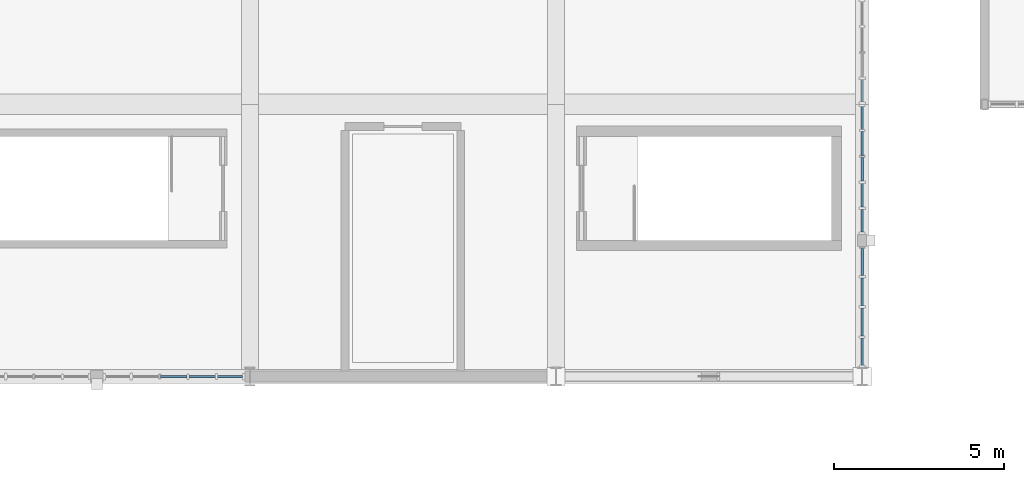
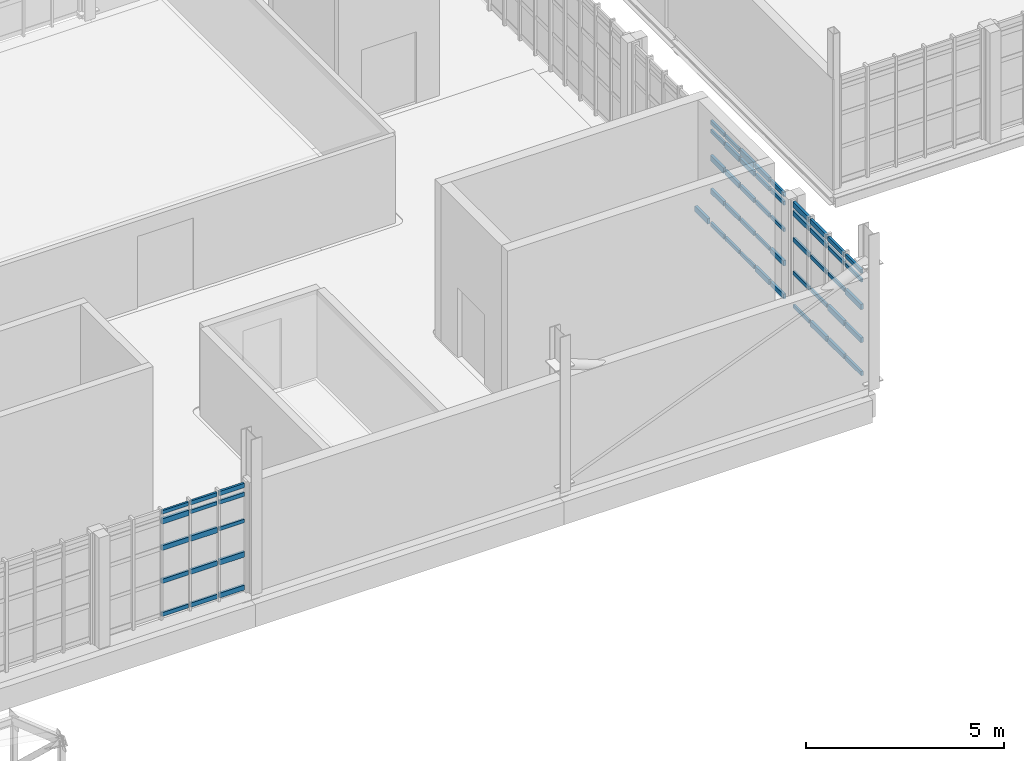
# One storey, part 68 of 128: 61 members, 4 elements without a shape of their own.
"""IFC4 building model written with IfcOpenShell, lengths in metres."""

from ifc_helpers import new_model, si_unit, direction, frame, origin, origin_2d, place, context, subcontext, project, spatial, rectangle, extrude, material, material_profile, profile_set, type_object, element, aggregate, save


model = new_model("IFC4")

# Units and contexts
model_context = context("Model", 3, precision=1e-05, world=origin(), true_north=direction((0.0, 1.0)))
body_context = subcontext(model_context, "Body", "Model", "MODEL_VIEW")
ifc_project = project(units=[si_unit("LENGTHUNIT", "METRE"), si_unit("AREAUNIT", "SQUARE_METRE"), si_unit("VOLUMEUNIT", "CUBIC_METRE"), si_unit("PLANEANGLEUNIT", "RADIAN"), si_unit("MASSUNIT", "GRAM", prefix="KILO")], contexts=[model_context])

# Site, building, storey
site_placement = place(None, origin())
site = spatial("IfcSite", under=ifc_project, at=site_placement, CompositionType="ELEMENT")
building_placement = place(site_placement, origin())
building = spatial("IfcBuilding", under=site, at=building_placement, Name="Serraforn Aerial Cableway Station", CompositionType="ELEMENT")
storey_placement = place(building_placement, frame((0.0, 0.0, 9.0)))
storey = spatial("IfcBuildingStorey", under=building, at=storey_placement, Name="L02", CompositionType="ELEMENT", Elevation=9.0)

# Curtain wall, members
ifc_material_1 = material(Name="Anodised bronze unitised curtain wall")
curtain_wall_type_1 = type_object("IfcCurtainWallType", Name="CW-SYS-24", PredefinedType="USERDEFINED", material=ifc_material_1)
curtain_wall_1_placement = place(storey_placement, origin())
curtain_wall_1 = element("IfcCurtainWall", 1, at=curtain_wall_1_placement, inside=storey, type_object=curtain_wall_type_1, Name="Unitised Curtain Wall CW-CV-L02-S5B", ObjectType="UNITISED CURTAIN WALL", PredefinedType="USERDEFINED")
ifc_material_2 = material(Name="Anodised bronze extruded aluminium", Category="aluminium")
ifc_material_profile_1 = material_profile(ifc_material_2, rectangle(XDim=0.054931640625, YDim=0.110107421875, at=origin_2d()), Name="CW TRANSOM 55x110")
ifc_profile_set_1 = profile_set([ifc_material_profile_1], Name="Anodised bronze extruded aluminium")
member_type_1 = type_object("IfcMemberType", Name="CW-TRN-1", PredefinedType="USERDEFINED", material=ifc_profile_set_1)
member_1_placement = place(storey_placement, frame((69.974365234375, 18.0, 3.283203125), z_axis=(1.0, 0.0, 0.0), x_axis=(0.0, 1.0, 0.0)))
member_1 = element("IfcMember", 2, at=member_1_placement, type_object=member_type_1, Name="Curtain Wall Transom CW-CV-L02-S5B-T3-5", ObjectType="TRANSOM", PredefinedType="USERDEFINED", context=body_context, shape_type="SweptSolid", body=[
    extrude(rectangle(XDim=0.054931640625, YDim=0.110107421875, at=origin_2d()), origin(), (0.0, 0.0, 1.0), 0.78076171875),
])
member_2_placement = place(storey_placement, frame((70.811279296875, 18.0, 3.009521484375), z_axis=(1.0, 0.0, 0.0), x_axis=(0.0, 1.0, 0.0)))
member_2 = element("IfcMember", 3, at=member_2_placement, type_object=member_type_1, Name="Curtain Wall Transom CW-CV-L02-S5B-T4-4", ObjectType="TRANSOM", PredefinedType="USERDEFINED", context=body_context, shape_type="SweptSolid", body=[
    extrude(rectangle(XDim=0.054931640625, YDim=0.110107421875, at=origin_2d()), origin(), (0.0, 0.0, 1.0), 0.77587890625),
])
member_3_placement = place(storey_placement, frame((71.648193359375, 18.0, 2.188720703125), z_axis=(1.0, 0.0, 0.0), x_axis=(0.0, 1.0, 0.0)))
member_3 = element("IfcMember", 4, at=member_3_placement, type_object=member_type_1, Name="Curtain Wall Transom CW-CV-L02-S5B-T5-3", ObjectType="TRANSOM", PredefinedType="USERDEFINED", context=body_context, shape_type="SweptSolid", body=[
    extrude(rectangle(XDim=0.054931640625, YDim=0.110107421875, at=origin_2d()), origin(), (0.0, 0.0, 1.0), 0.73583984375),
])

curtain_wall_type_2 = type_object("IfcCurtainWallType", Name="CW-SYS-27", PredefinedType="USERDEFINED", material=ifc_material_1)
curtain_wall_2_placement = place(storey_placement, origin())
curtain_wall_2 = element("IfcCurtainWall", 5, at=curtain_wall_2_placement, inside=storey, type_object=curtain_wall_type_2, Name="Unitised Curtain Wall CW-CV-L02-E1A", ObjectType="UNITISED CURTAIN WALL", PredefinedType="USERDEFINED")
member_4_placement = place(storey_placement, frame((90.60009765625, 18.3310546875, 3.009521484375), z_axis=(0.0, 1.0, 0.0), x_axis=(-1.0, 0.0, 0.0)))
member_4 = element("IfcMember", 6, at=member_4_placement, type_object=member_type_1, Name="Curtain Wall Transom CW-CV-L02-E1A-T1-4", ObjectType="TRANSOM", PredefinedType="USERDEFINED", context=body_context, shape_type="SweptSolid", body=[
    extrude(rectangle(XDim=0.054931640625, YDim=0.110107421875, at=origin_2d()), origin(), (0.0, 0.0, 1.0), 0.798095703125),
])
member_5_placement = place(storey_placement, frame((90.60009765625, 19.190185546875, 2.188720703125), z_axis=(0.0, 1.0, 0.0), x_axis=(-1.0, 0.0, 0.0)))
member_5 = element("IfcMember", 7, at=member_5_placement, type_object=member_type_1, Name="Curtain Wall Transom CW-CV-L02-E1A-T2-3", ObjectType="TRANSOM", PredefinedType="USERDEFINED", context=body_context, shape_type="SweptSolid", body=[
    extrude(rectangle(XDim=0.054931640625, YDim=0.110107421875, at=origin_2d()), origin(), (0.0, 0.0, 1.0), 0.8232421875),
])
member_6_placement = place(storey_placement, frame((90.60009765625, 20.07958984375, 1.162841796875), z_axis=(0.0, 1.0, 0.0), x_axis=(-1.0, 0.0, 0.0)))
member_6 = element("IfcMember", 8, at=member_6_placement, type_object=member_type_1, Name="Curtain Wall Transom CW-CV-L02-E1A-T3-2", ObjectType="TRANSOM", PredefinedType="USERDEFINED", context=body_context, shape_type="SweptSolid", body=[
    extrude(rectangle(XDim=0.054931640625, YDim=0.110107421875, at=origin_2d()), origin(), (0.0, 0.0, 1.0), 0.818115234375),
])
member_7_placement = place(storey_placement, frame((90.60009765625, 20.96875, 0.13671875), z_axis=(0.0, 1.0, 0.0), x_axis=(-1.0, 0.0, 0.0)))
member_7 = element("IfcMember", 9, at=member_7_placement, type_object=member_type_1, Name="Curtain Wall Transom CW-CV-L02-E1A-T4-1", ObjectType="TRANSOM", PredefinedType="USERDEFINED", context=body_context, shape_type="SweptSolid", body=[
    extrude(rectangle(XDim=0.054931640625, YDim=0.110107421875, at=origin_2d()), origin(), (0.0, 0.0, 1.0), 0.79833984375),
])

curtain_wall_type_3 = type_object("IfcCurtainWallType", Name="CW-SYS-28", PredefinedType="USERDEFINED", material=ifc_material_1)
curtain_wall_3_placement = place(storey_placement, origin())
curtain_wall_3 = element("IfcCurtainWall", 10, at=curtain_wall_3_placement, inside=storey, type_object=curtain_wall_type_3, Name="Unitised Curtain Wall CW-CV-L02-E1B", ObjectType="UNITISED CURTAIN WALL", PredefinedType="USERDEFINED")
member_8_placement = place(storey_placement, frame((90.60009765625, 22.242919921875, 2.188720703125), z_axis=(0.0, 1.0, 0.0), x_axis=(-1.0, 0.0, 0.0)))
member_8 = element("IfcMember", 11, at=member_8_placement, type_object=member_type_1, Name="Curtain Wall Transom CW-CV-L02-E1B-T1-3", ObjectType="TRANSOM", PredefinedType="USERDEFINED", context=body_context, shape_type="SweptSolid", body=[
    extrude(rectangle(XDim=0.054931640625, YDim=0.110107421875, at=origin_2d()), origin(), (0.0, 0.0, 1.0), 0.66796875),
])
member_9_placement = place(storey_placement, frame((90.60009765625, 22.97705078125, 1.162841796875), z_axis=(0.0, 1.0, 0.0), x_axis=(-1.0, 0.0, 0.0)))
member_9 = element("IfcMember", 12, at=member_9_placement, type_object=member_type_1, Name="Curtain Wall Transom CW-CV-L02-E1B-T2-2", ObjectType="TRANSOM", PredefinedType="USERDEFINED", context=body_context, shape_type="SweptSolid", body=[
    extrude(rectangle(XDim=0.054931640625, YDim=0.110107421875, at=origin_2d()), origin(), (0.0, 0.0, 1.0), 0.695556640625),
])
member_10_placement = place(storey_placement, frame((90.60009765625, 23.743408203125, 0.13671875), z_axis=(0.0, 1.0, 0.0), x_axis=(-1.0, 0.0, 0.0)))
member_10 = element("IfcMember", 13, at=member_10_placement, type_object=member_type_1, Name="Curtain Wall Transom CW-CV-L02-E1B-T3-1", ObjectType="TRANSOM", PredefinedType="USERDEFINED", context=body_context, shape_type="SweptSolid", body=[
    extrude(rectangle(XDim=0.054931640625, YDim=0.110107421875, at=origin_2d()), origin(), (0.0, 0.0, 1.0), 0.703125),
])
member_11_placement = place(storey_placement, frame((90.60009765625, 24.49755859375, 3.283203125), z_axis=(0.0, 1.0, 0.0), x_axis=(-1.0, 0.0, 0.0)))
member_11 = element("IfcMember", 14, at=member_11_placement, type_object=member_type_1, Name="Curtain Wall Transom CW-CV-L02-E1B-T4-5", ObjectType="TRANSOM", PredefinedType="USERDEFINED", context=body_context, shape_type="SweptSolid", body=[
    extrude(rectangle(XDim=0.054931640625, YDim=0.110107421875, at=origin_2d()), origin(), (0.0, 0.0, 1.0), 0.71044921875),
])
member_12_placement = place(storey_placement, frame((90.60009765625, 25.263916015625, 3.009521484375), z_axis=(0.0, 1.0, 0.0), x_axis=(-1.0, 0.0, 0.0)))
member_12 = element("IfcMember", 15, at=member_12_placement, type_object=member_type_1, Name="Curtain Wall Transom CW-CV-L02-E1B-T5-4", ObjectType="TRANSOM", PredefinedType="USERDEFINED", context=body_context, shape_type="SweptSolid", body=[
    extrude(rectangle(XDim=0.054931640625, YDim=0.110107421875, at=origin_2d()), origin(), (0.0, 0.0, 1.0), 0.673095703125),
])

# Member
ifc_material_profile_2 = material_profile(ifc_material_2, rectangle(XDim=0.06005859375, YDim=0.1201171875, at=origin_2d()), Name="CW TRANSOM 60x120")
ifc_profile_set_2 = profile_set([ifc_material_profile_2], Name="Anodised bronze extruded aluminium")
member_type_2 = type_object("IfcMemberType", Name="CW-TRN-2", PredefinedType="USERDEFINED", material=ifc_profile_set_2)
member_13_placement = place(storey_placement, frame((69.974365234375, 18.0, 0.13671875), z_axis=(1.0, 0.0, 0.0), x_axis=(0.0, 1.0, 0.0)))
member_13 = element("IfcMember", 16, at=member_13_placement, type_object=member_type_2, Name="Curtain Wall Transom CW-CV-L02-S5B-T3-1", ObjectType="TRANSOM", PredefinedType="USERDEFINED", context=body_context, shape_type="SweptSolid", body=[
    extrude(rectangle(XDim=0.06005859375, YDim=0.1201171875, at=origin_2d()), origin(), (0.0, 0.0, 1.0), 0.78076171875),
])

member_14_placement = place(storey_placement, frame((70.811279296875, 18.0, 3.283203125), z_axis=(1.0, 0.0, 0.0), x_axis=(0.0, 1.0, 0.0)))
member_14 = element("IfcMember", 17, at=member_14_placement, type_object=member_type_2, Name="Curtain Wall Transom CW-CV-L02-S5B-T4-5", ObjectType="TRANSOM", PredefinedType="USERDEFINED", context=body_context, shape_type="SweptSolid", body=[
    extrude(rectangle(XDim=0.06005859375, YDim=0.1201171875, at=origin_2d()), origin(), (0.0, 0.0, 1.0), 0.77587890625),
])

member_15_placement = place(storey_placement, frame((71.648193359375, 18.0, 3.009521484375), z_axis=(1.0, 0.0, 0.0), x_axis=(0.0, 1.0, 0.0)))
member_15 = element("IfcMember", 18, at=member_15_placement, type_object=member_type_2, Name="Curtain Wall Transom CW-CV-L02-S5B-T5-4", ObjectType="TRANSOM", PredefinedType="USERDEFINED", context=body_context, shape_type="SweptSolid", body=[
    extrude(rectangle(XDim=0.06005859375, YDim=0.1201171875, at=origin_2d()), origin(), (0.0, 0.0, 1.0), 0.73583984375),
])

member_16_placement = place(storey_placement, frame((90.60009765625, 18.3310546875, 3.283203125), z_axis=(0.0, 1.0, 0.0), x_axis=(-1.0, 0.0, 0.0)))
member_16 = element("IfcMember", 19, at=member_16_placement, type_object=member_type_2, Name="Curtain Wall Transom CW-CV-L02-E1A-T1-5", ObjectType="TRANSOM", PredefinedType="USERDEFINED", context=body_context, shape_type="SweptSolid", body=[
    extrude(rectangle(XDim=0.06005859375, YDim=0.1201171875, at=origin_2d()), origin(), (0.0, 0.0, 1.0), 0.798095703125),
])

member_17_placement = place(storey_placement, frame((90.60009765625, 19.190185546875, 3.009521484375), z_axis=(0.0, 1.0, 0.0), x_axis=(-1.0, 0.0, 0.0)))
member_17 = element("IfcMember", 20, at=member_17_placement, type_object=member_type_2, Name="Curtain Wall Transom CW-CV-L02-E1A-T2-4", ObjectType="TRANSOM", PredefinedType="USERDEFINED", context=body_context, shape_type="SweptSolid", body=[
    extrude(rectangle(XDim=0.06005859375, YDim=0.1201171875, at=origin_2d()), origin(), (0.0, 0.0, 1.0), 0.8232421875),
])

member_18_placement = place(storey_placement, frame((90.60009765625, 20.07958984375, 2.188720703125), z_axis=(0.0, 1.0, 0.0), x_axis=(-1.0, 0.0, 0.0)))
member_18 = element("IfcMember", 21, at=member_18_placement, type_object=member_type_2, Name="Curtain Wall Transom CW-CV-L02-E1A-T3-3", ObjectType="TRANSOM", PredefinedType="USERDEFINED", context=body_context, shape_type="SweptSolid", body=[
    extrude(rectangle(XDim=0.06005859375, YDim=0.1201171875, at=origin_2d()), origin(), (0.0, 0.0, 1.0), 0.818115234375),
])

member_19_placement = place(storey_placement, frame((90.60009765625, 20.96875, 1.162841796875), z_axis=(0.0, 1.0, 0.0), x_axis=(-1.0, 0.0, 0.0)))
member_19 = element("IfcMember", 22, at=member_19_placement, type_object=member_type_2, Name="Curtain Wall Transom CW-CV-L02-E1A-T4-2", ObjectType="TRANSOM", PredefinedType="USERDEFINED", context=body_context, shape_type="SweptSolid", body=[
    extrude(rectangle(XDim=0.06005859375, YDim=0.1201171875, at=origin_2d()), origin(), (0.0, 0.0, 1.0), 0.79833984375),
])

member_20_placement = place(storey_placement, frame((90.60009765625, 22.242919921875, 3.009521484375), z_axis=(0.0, 1.0, 0.0), x_axis=(-1.0, 0.0, 0.0)))
member_20 = element("IfcMember", 23, at=member_20_placement, type_object=member_type_2, Name="Curtain Wall Transom CW-CV-L02-E1B-T1-4", ObjectType="TRANSOM", PredefinedType="USERDEFINED", context=body_context, shape_type="SweptSolid", body=[
    extrude(rectangle(XDim=0.06005859375, YDim=0.1201171875, at=origin_2d()), origin(), (0.0, 0.0, 1.0), 0.66796875),
])

member_21_placement = place(storey_placement, frame((90.60009765625, 22.97705078125, 2.188720703125), z_axis=(0.0, 1.0, 0.0), x_axis=(-1.0, 0.0, 0.0)))
member_21 = element("IfcMember", 24, at=member_21_placement, type_object=member_type_2, Name="Curtain Wall Transom CW-CV-L02-E1B-T2-3", ObjectType="TRANSOM", PredefinedType="USERDEFINED", context=body_context, shape_type="SweptSolid", body=[
    extrude(rectangle(XDim=0.06005859375, YDim=0.1201171875, at=origin_2d()), origin(), (0.0, 0.0, 1.0), 0.695556640625),
])

member_22_placement = place(storey_placement, frame((90.60009765625, 23.743408203125, 1.162841796875), z_axis=(0.0, 1.0, 0.0), x_axis=(-1.0, 0.0, 0.0)))
member_22 = element("IfcMember", 25, at=member_22_placement, type_object=member_type_2, Name="Curtain Wall Transom CW-CV-L02-E1B-T3-2", ObjectType="TRANSOM", PredefinedType="USERDEFINED", context=body_context, shape_type="SweptSolid", body=[
    extrude(rectangle(XDim=0.06005859375, YDim=0.1201171875, at=origin_2d()), origin(), (0.0, 0.0, 1.0), 0.703125),
])

member_23_placement = place(storey_placement, frame((90.60009765625, 24.49755859375, 0.13671875), z_axis=(0.0, 1.0, 0.0), x_axis=(-1.0, 0.0, 0.0)))
member_23 = element("IfcMember", 26, at=member_23_placement, type_object=member_type_2, Name="Curtain Wall Transom CW-CV-L02-E1B-T4-1", ObjectType="TRANSOM", PredefinedType="USERDEFINED", context=body_context, shape_type="SweptSolid", body=[
    extrude(rectangle(XDim=0.06005859375, YDim=0.1201171875, at=origin_2d()), origin(), (0.0, 0.0, 1.0), 0.71044921875),
])

member_24_placement = place(storey_placement, frame((90.60009765625, 25.263916015625, 3.283203125), z_axis=(0.0, 1.0, 0.0), x_axis=(-1.0, 0.0, 0.0)))
member_24 = element("IfcMember", 27, at=member_24_placement, type_object=member_type_2, Name="Curtain Wall Transom CW-CV-L02-E1B-T5-5", ObjectType="TRANSOM", PredefinedType="USERDEFINED", context=body_context, shape_type="SweptSolid", body=[
    extrude(rectangle(XDim=0.06005859375, YDim=0.1201171875, at=origin_2d()), origin(), (0.0, 0.0, 1.0), 0.673095703125),
])

ifc_material_profile_3 = material_profile(ifc_material_2, rectangle(XDim=0.06494140625, YDim=0.135009765625, at=origin_2d()), Name="CW TRANSOM 65x135")
ifc_profile_set_3 = profile_set([ifc_material_profile_3], Name="Anodised bronze extruded aluminium")
member_type_3 = type_object("IfcMemberType", Name="CW-TRN-3", PredefinedType="USERDEFINED", material=ifc_profile_set_3)
member_25_placement = place(storey_placement, frame((69.974365234375, 18.0, 1.162841796875), z_axis=(1.0, 0.0, 0.0), x_axis=(0.0, 1.0, 0.0)))
member_25 = element("IfcMember", 28, at=member_25_placement, type_object=member_type_3, Name="Curtain Wall Transom CW-CV-L02-S5B-T3-2", ObjectType="TRANSOM", PredefinedType="USERDEFINED", context=body_context, shape_type="SweptSolid", body=[
    extrude(rectangle(XDim=0.06494140625, YDim=0.135009765625, at=origin_2d()), origin(), (0.0, 0.0, 1.0), 0.78076171875),
])

member_26_placement = place(storey_placement, frame((70.811279296875, 18.0, 0.13671875), z_axis=(1.0, 0.0, 0.0), x_axis=(0.0, 1.0, 0.0)))
member_26 = element("IfcMember", 29, at=member_26_placement, type_object=member_type_3, Name="Curtain Wall Transom CW-CV-L02-S5B-T4-1", ObjectType="TRANSOM", PredefinedType="USERDEFINED", context=body_context, shape_type="SweptSolid", body=[
    extrude(rectangle(XDim=0.06494140625, YDim=0.135009765625, at=origin_2d()), origin(), (0.0, 0.0, 1.0), 0.77587890625),
])

member_27_placement = place(storey_placement, frame((71.648193359375, 18.0, 3.283203125), z_axis=(1.0, 0.0, 0.0), x_axis=(0.0, 1.0, 0.0)))
member_27 = element("IfcMember", 30, at=member_27_placement, type_object=member_type_3, Name="Curtain Wall Transom CW-CV-L02-S5B-T5-5", ObjectType="TRANSOM", PredefinedType="USERDEFINED", context=body_context, shape_type="SweptSolid", body=[
    extrude(rectangle(XDim=0.06494140625, YDim=0.135009765625, at=origin_2d()), origin(), (0.0, 0.0, 1.0), 0.73583984375),
])

member_28_placement = place(storey_placement, frame((90.60009765625, 18.3310546875, 0.13671875), z_axis=(0.0, 1.0, 0.0), x_axis=(-1.0, 0.0, 0.0)))
member_28 = element("IfcMember", 31, at=member_28_placement, type_object=member_type_3, Name="Curtain Wall Transom CW-CV-L02-E1A-T1-1", ObjectType="TRANSOM", PredefinedType="USERDEFINED", context=body_context, shape_type="SweptSolid", body=[
    extrude(rectangle(XDim=0.06494140625, YDim=0.135009765625, at=origin_2d()), origin(), (0.0, 0.0, 1.0), 0.798095703125),
])

member_29_placement = place(storey_placement, frame((90.60009765625, 19.190185546875, 3.283203125), z_axis=(0.0, 1.0, 0.0), x_axis=(-1.0, 0.0, 0.0)))
member_29 = element("IfcMember", 32, at=member_29_placement, type_object=member_type_3, Name="Curtain Wall Transom CW-CV-L02-E1A-T2-5", ObjectType="TRANSOM", PredefinedType="USERDEFINED", context=body_context, shape_type="SweptSolid", body=[
    extrude(rectangle(XDim=0.06494140625, YDim=0.135009765625, at=origin_2d()), origin(), (0.0, 0.0, 1.0), 0.8232421875),
])

member_30_placement = place(storey_placement, frame((90.60009765625, 20.07958984375, 3.009521484375), z_axis=(0.0, 1.0, 0.0), x_axis=(-1.0, 0.0, 0.0)))
member_30 = element("IfcMember", 33, at=member_30_placement, type_object=member_type_3, Name="Curtain Wall Transom CW-CV-L02-E1A-T3-4", ObjectType="TRANSOM", PredefinedType="USERDEFINED", context=body_context, shape_type="SweptSolid", body=[
    extrude(rectangle(XDim=0.06494140625, YDim=0.135009765625, at=origin_2d()), origin(), (0.0, 0.0, 1.0), 0.818115234375),
])

member_31_placement = place(storey_placement, frame((90.60009765625, 20.96875, 2.188720703125), z_axis=(0.0, 1.0, 0.0), x_axis=(-1.0, 0.0, 0.0)))
member_31 = element("IfcMember", 34, at=member_31_placement, type_object=member_type_3, Name="Curtain Wall Transom CW-CV-L02-E1A-T4-3", ObjectType="TRANSOM", PredefinedType="USERDEFINED", context=body_context, shape_type="SweptSolid", body=[
    extrude(rectangle(XDim=0.06494140625, YDim=0.135009765625, at=origin_2d()), origin(), (0.0, 0.0, 1.0), 0.79833984375),
])

member_32_placement = place(storey_placement, frame((90.60009765625, 22.242919921875, 3.283203125), z_axis=(0.0, 1.0, 0.0), x_axis=(-1.0, 0.0, 0.0)))
member_32 = element("IfcMember", 35, at=member_32_placement, type_object=member_type_3, Name="Curtain Wall Transom CW-CV-L02-E1B-T1-5", ObjectType="TRANSOM", PredefinedType="USERDEFINED", context=body_context, shape_type="SweptSolid", body=[
    extrude(rectangle(XDim=0.06494140625, YDim=0.135009765625, at=origin_2d()), origin(), (0.0, 0.0, 1.0), 0.66796875),
])

member_33_placement = place(storey_placement, frame((90.60009765625, 22.97705078125, 3.009521484375), z_axis=(0.0, 1.0, 0.0), x_axis=(-1.0, 0.0, 0.0)))
member_33 = element("IfcMember", 36, at=member_33_placement, type_object=member_type_3, Name="Curtain Wall Transom CW-CV-L02-E1B-T2-4", ObjectType="TRANSOM", PredefinedType="USERDEFINED", context=body_context, shape_type="SweptSolid", body=[
    extrude(rectangle(XDim=0.06494140625, YDim=0.135009765625, at=origin_2d()), origin(), (0.0, 0.0, 1.0), 0.695556640625),
])

member_34_placement = place(storey_placement, frame((90.60009765625, 23.743408203125, 2.188720703125), z_axis=(0.0, 1.0, 0.0), x_axis=(-1.0, 0.0, 0.0)))
member_34 = element("IfcMember", 37, at=member_34_placement, type_object=member_type_3, Name="Curtain Wall Transom CW-CV-L02-E1B-T3-3", ObjectType="TRANSOM", PredefinedType="USERDEFINED", context=body_context, shape_type="SweptSolid", body=[
    extrude(rectangle(XDim=0.06494140625, YDim=0.135009765625, at=origin_2d()), origin(), (0.0, 0.0, 1.0), 0.703125),
])

member_35_placement = place(storey_placement, frame((90.60009765625, 24.49755859375, 1.162841796875), z_axis=(0.0, 1.0, 0.0), x_axis=(-1.0, 0.0, 0.0)))
member_35 = element("IfcMember", 38, at=member_35_placement, type_object=member_type_3, Name="Curtain Wall Transom CW-CV-L02-E1B-T4-2", ObjectType="TRANSOM", PredefinedType="USERDEFINED", context=body_context, shape_type="SweptSolid", body=[
    extrude(rectangle(XDim=0.06494140625, YDim=0.135009765625, at=origin_2d()), origin(), (0.0, 0.0, 1.0), 0.71044921875),
])

member_36_placement = place(storey_placement, frame((90.60009765625, 25.263916015625, 0.13671875), z_axis=(0.0, 1.0, 0.0), x_axis=(-1.0, 0.0, 0.0)))
member_36 = element("IfcMember", 39, at=member_36_placement, type_object=member_type_3, Name="Curtain Wall Transom CW-CV-L02-E1B-T5-1", ObjectType="TRANSOM", PredefinedType="USERDEFINED", context=body_context, shape_type="SweptSolid", body=[
    extrude(rectangle(XDim=0.06494140625, YDim=0.135009765625, at=origin_2d()), origin(), (0.0, 0.0, 1.0), 0.673095703125),
])

ifc_material_profile_4 = material_profile(ifc_material_2, rectangle(XDim=0.070068359375, YDim=0.14990234375, at=origin_2d()), Name="CW TRANSOM 70x150")
ifc_profile_set_4 = profile_set([ifc_material_profile_4], Name="Anodised bronze extruded aluminium")
member_type_4 = type_object("IfcMemberType", Name="CW-TRN-4", PredefinedType="USERDEFINED", material=ifc_profile_set_4)
member_37_placement = place(storey_placement, frame((69.974365234375, 18.0, 2.188720703125), z_axis=(1.0, 0.0, 0.0), x_axis=(0.0, 1.0, 0.0)))
member_37 = element("IfcMember", 40, at=member_37_placement, type_object=member_type_4, Name="Curtain Wall Transom CW-CV-L02-S5B-T3-3", ObjectType="TRANSOM", PredefinedType="USERDEFINED", context=body_context, shape_type="SweptSolid", body=[
    extrude(rectangle(XDim=0.070068359375, YDim=0.14990234375, at=origin_2d()), origin(), (0.0, 0.0, 1.0), 0.78076171875),
])

member_38_placement = place(storey_placement, frame((70.811279296875, 18.0, 1.162841796875), z_axis=(1.0, 0.0, 0.0), x_axis=(0.0, 1.0, 0.0)))
member_38 = element("IfcMember", 41, at=member_38_placement, type_object=member_type_4, Name="Curtain Wall Transom CW-CV-L02-S5B-T4-2", ObjectType="TRANSOM", PredefinedType="USERDEFINED", context=body_context, shape_type="SweptSolid", body=[
    extrude(rectangle(XDim=0.070068359375, YDim=0.14990234375, at=origin_2d()), origin(), (0.0, 0.0, 1.0), 0.77587890625),
])

member_39_placement = place(storey_placement, frame((71.648193359375, 18.0, 0.13671875), z_axis=(1.0, 0.0, 0.0), x_axis=(0.0, 1.0, 0.0)))
member_39 = element("IfcMember", 42, at=member_39_placement, type_object=member_type_4, Name="Curtain Wall Transom CW-CV-L02-S5B-T5-1", ObjectType="TRANSOM", PredefinedType="USERDEFINED", context=body_context, shape_type="SweptSolid", body=[
    extrude(rectangle(XDim=0.070068359375, YDim=0.14990234375, at=origin_2d()), origin(), (0.0, 0.0, 1.0), 0.73583984375),
])

member_40_placement = place(storey_placement, frame((90.60009765625, 18.3310546875, 1.162841796875), z_axis=(0.0, 1.0, 0.0), x_axis=(-1.0, 0.0, 0.0)))
member_40 = element("IfcMember", 43, at=member_40_placement, type_object=member_type_4, Name="Curtain Wall Transom CW-CV-L02-E1A-T1-2", ObjectType="TRANSOM", PredefinedType="USERDEFINED", context=body_context, shape_type="SweptSolid", body=[
    extrude(rectangle(XDim=0.070068359375, YDim=0.14990234375, at=origin_2d()), origin(), (0.0, 0.0, 1.0), 0.798095703125),
])

member_41_placement = place(storey_placement, frame((90.60009765625, 19.190185546875, 0.13671875), z_axis=(0.0, 1.0, 0.0), x_axis=(-1.0, 0.0, 0.0)))
member_41 = element("IfcMember", 44, at=member_41_placement, type_object=member_type_4, Name="Curtain Wall Transom CW-CV-L02-E1A-T2-1", ObjectType="TRANSOM", PredefinedType="USERDEFINED", context=body_context, shape_type="SweptSolid", body=[
    extrude(rectangle(XDim=0.070068359375, YDim=0.14990234375, at=origin_2d()), origin(), (0.0, 0.0, 1.0), 0.8232421875),
])

member_42_placement = place(storey_placement, frame((90.60009765625, 20.07958984375, 3.283203125), z_axis=(0.0, 1.0, 0.0), x_axis=(-1.0, 0.0, 0.0)))
member_42 = element("IfcMember", 45, at=member_42_placement, type_object=member_type_4, Name="Curtain Wall Transom CW-CV-L02-E1A-T3-5", ObjectType="TRANSOM", PredefinedType="USERDEFINED", context=body_context, shape_type="SweptSolid", body=[
    extrude(rectangle(XDim=0.070068359375, YDim=0.14990234375, at=origin_2d()), origin(), (0.0, 0.0, 1.0), 0.818115234375),
])

member_43_placement = place(storey_placement, frame((90.60009765625, 20.96875, 3.009521484375), z_axis=(0.0, 1.0, 0.0), x_axis=(-1.0, 0.0, 0.0)))
member_43 = element("IfcMember", 46, at=member_43_placement, type_object=member_type_4, Name="Curtain Wall Transom CW-CV-L02-E1A-T4-4", ObjectType="TRANSOM", PredefinedType="USERDEFINED", context=body_context, shape_type="SweptSolid", body=[
    extrude(rectangle(XDim=0.070068359375, YDim=0.14990234375, at=origin_2d()), origin(), (0.0, 0.0, 1.0), 0.79833984375),
])

member_44_placement = place(storey_placement, frame((90.60009765625, 22.242919921875, 0.13671875), z_axis=(0.0, 1.0, 0.0), x_axis=(-1.0, 0.0, 0.0)))
member_44 = element("IfcMember", 47, at=member_44_placement, type_object=member_type_4, Name="Curtain Wall Transom CW-CV-L02-E1B-T1-1", ObjectType="TRANSOM", PredefinedType="USERDEFINED", context=body_context, shape_type="SweptSolid", body=[
    extrude(rectangle(XDim=0.070068359375, YDim=0.14990234375, at=origin_2d()), origin(), (0.0, 0.0, 1.0), 0.66796875),
])

member_45_placement = place(storey_placement, frame((90.60009765625, 22.97705078125, 3.283203125), z_axis=(0.0, 1.0, 0.0), x_axis=(-1.0, 0.0, 0.0)))
member_45 = element("IfcMember", 48, at=member_45_placement, type_object=member_type_4, Name="Curtain Wall Transom CW-CV-L02-E1B-T2-5", ObjectType="TRANSOM", PredefinedType="USERDEFINED", context=body_context, shape_type="SweptSolid", body=[
    extrude(rectangle(XDim=0.070068359375, YDim=0.14990234375, at=origin_2d()), origin(), (0.0, 0.0, 1.0), 0.695556640625),
])

member_46_placement = place(storey_placement, frame((90.60009765625, 23.743408203125, 3.009521484375), z_axis=(0.0, 1.0, 0.0), x_axis=(-1.0, 0.0, 0.0)))
member_46 = element("IfcMember", 49, at=member_46_placement, type_object=member_type_4, Name="Curtain Wall Transom CW-CV-L02-E1B-T3-4", ObjectType="TRANSOM", PredefinedType="USERDEFINED", context=body_context, shape_type="SweptSolid", body=[
    extrude(rectangle(XDim=0.070068359375, YDim=0.14990234375, at=origin_2d()), origin(), (0.0, 0.0, 1.0), 0.703125),
])

member_47_placement = place(storey_placement, frame((90.60009765625, 24.49755859375, 2.188720703125), z_axis=(0.0, 1.0, 0.0), x_axis=(-1.0, 0.0, 0.0)))
member_47 = element("IfcMember", 50, at=member_47_placement, type_object=member_type_4, Name="Curtain Wall Transom CW-CV-L02-E1B-T4-3", ObjectType="TRANSOM", PredefinedType="USERDEFINED", context=body_context, shape_type="SweptSolid", body=[
    extrude(rectangle(XDim=0.070068359375, YDim=0.14990234375, at=origin_2d()), origin(), (0.0, 0.0, 1.0), 0.71044921875),
])

member_48_placement = place(storey_placement, frame((90.60009765625, 25.263916015625, 1.162841796875), z_axis=(0.0, 1.0, 0.0), x_axis=(-1.0, 0.0, 0.0)))
member_48 = element("IfcMember", 51, at=member_48_placement, type_object=member_type_4, Name="Curtain Wall Transom CW-CV-L02-E1B-T5-2", ObjectType="TRANSOM", PredefinedType="USERDEFINED", context=body_context, shape_type="SweptSolid", body=[
    extrude(rectangle(XDim=0.070068359375, YDim=0.14990234375, at=origin_2d()), origin(), (0.0, 0.0, 1.0), 0.673095703125),
])

ifc_material_profile_5 = material_profile(ifc_material_2, rectangle(XDim=0.074951171875, YDim=0.1650390625, at=origin_2d()), Name="CW TRANSOM 75x165")
ifc_profile_set_5 = profile_set([ifc_material_profile_5], Name="Anodised bronze extruded aluminium")
member_type_5 = type_object("IfcMemberType", Name="CW-TRN-5", PredefinedType="USERDEFINED", material=ifc_profile_set_5)
member_49_placement = place(storey_placement, frame((69.974365234375, 18.0, 3.009521484375), z_axis=(1.0, 0.0, 0.0), x_axis=(0.0, 1.0, 0.0)))
member_49 = element("IfcMember", 52, at=member_49_placement, type_object=member_type_5, Name="Curtain Wall Transom CW-CV-L02-S5B-T3-4", ObjectType="TRANSOM", PredefinedType="USERDEFINED", context=body_context, shape_type="SweptSolid", body=[
    extrude(rectangle(XDim=0.074951171875, YDim=0.1650390625, at=origin_2d()), origin(), (0.0, 0.0, 1.0), 0.78076171875),
])

member_50_placement = place(storey_placement, frame((70.811279296875, 18.0, 2.188720703125), z_axis=(1.0, 0.0, 0.0), x_axis=(0.0, 1.0, 0.0)))
member_50 = element("IfcMember", 53, at=member_50_placement, type_object=member_type_5, Name="Curtain Wall Transom CW-CV-L02-S5B-T4-3", ObjectType="TRANSOM", PredefinedType="USERDEFINED", context=body_context, shape_type="SweptSolid", body=[
    extrude(rectangle(XDim=0.074951171875, YDim=0.1650390625, at=origin_2d()), origin(), (0.0, 0.0, 1.0), 0.77587890625),
])

member_51_placement = place(storey_placement, frame((71.648193359375, 18.0, 1.162841796875), z_axis=(1.0, 0.0, 0.0), x_axis=(0.0, 1.0, 0.0)))
member_51 = element("IfcMember", 54, at=member_51_placement, type_object=member_type_5, Name="Curtain Wall Transom CW-CV-L02-S5B-T5-2", ObjectType="TRANSOM", PredefinedType="USERDEFINED", context=body_context, shape_type="SweptSolid", body=[
    extrude(rectangle(XDim=0.074951171875, YDim=0.1650390625, at=origin_2d()), origin(), (0.0, 0.0, 1.0), 0.73583984375),
])

aggregate(curtain_wall_1, [member_13, member_25, member_37, member_49, member_1, member_26, member_38, member_50, member_2, member_14, member_39, member_51, member_3, member_15, member_27])

member_52_placement = place(storey_placement, frame((90.60009765625, 18.3310546875, 2.188720703125), z_axis=(0.0, 1.0, 0.0), x_axis=(-1.0, 0.0, 0.0)))
member_52 = element("IfcMember", 55, at=member_52_placement, type_object=member_type_5, Name="Curtain Wall Transom CW-CV-L02-E1A-T1-3", ObjectType="TRANSOM", PredefinedType="USERDEFINED", context=body_context, shape_type="SweptSolid", body=[
    extrude(rectangle(XDim=0.074951171875, YDim=0.1650390625, at=origin_2d()), origin(), (0.0, 0.0, 1.0), 0.798095703125),
])

member_53_placement = place(storey_placement, frame((90.60009765625, 19.190185546875, 1.162841796875), z_axis=(0.0, 1.0, 0.0), x_axis=(-1.0, 0.0, 0.0)))
member_53 = element("IfcMember", 56, at=member_53_placement, type_object=member_type_5, Name="Curtain Wall Transom CW-CV-L02-E1A-T2-2", ObjectType="TRANSOM", PredefinedType="USERDEFINED", context=body_context, shape_type="SweptSolid", body=[
    extrude(rectangle(XDim=0.074951171875, YDim=0.1650390625, at=origin_2d()), origin(), (0.0, 0.0, 1.0), 0.8232421875),
])

member_54_placement = place(storey_placement, frame((90.60009765625, 20.07958984375, 0.13671875), z_axis=(0.0, 1.0, 0.0), x_axis=(-1.0, 0.0, 0.0)))
member_54 = element("IfcMember", 57, at=member_54_placement, type_object=member_type_5, Name="Curtain Wall Transom CW-CV-L02-E1A-T3-1", ObjectType="TRANSOM", PredefinedType="USERDEFINED", context=body_context, shape_type="SweptSolid", body=[
    extrude(rectangle(XDim=0.074951171875, YDim=0.1650390625, at=origin_2d()), origin(), (0.0, 0.0, 1.0), 0.818115234375),
])

member_55_placement = place(storey_placement, frame((90.60009765625, 20.96875, 3.283203125), z_axis=(0.0, 1.0, 0.0), x_axis=(-1.0, 0.0, 0.0)))
member_55 = element("IfcMember", 58, at=member_55_placement, type_object=member_type_5, Name="Curtain Wall Transom CW-CV-L02-E1A-T4-5", ObjectType="TRANSOM", PredefinedType="USERDEFINED", context=body_context, shape_type="SweptSolid", body=[
    extrude(rectangle(XDim=0.074951171875, YDim=0.1650390625, at=origin_2d()), origin(), (0.0, 0.0, 1.0), 0.79833984375),
])

aggregate(curtain_wall_2, [member_28, member_40, member_52, member_4, member_16, member_41, member_53, member_5, member_17, member_29, member_54, member_6, member_18, member_30, member_42, member_7, member_19, member_31, member_43, member_55])

member_56_placement = place(storey_placement, frame((90.60009765625, 22.242919921875, 1.162841796875), z_axis=(0.0, 1.0, 0.0), x_axis=(-1.0, 0.0, 0.0)))
member_56 = element("IfcMember", 59, at=member_56_placement, type_object=member_type_5, Name="Curtain Wall Transom CW-CV-L02-E1B-T1-2", ObjectType="TRANSOM", PredefinedType="USERDEFINED", context=body_context, shape_type="SweptSolid", body=[
    extrude(rectangle(XDim=0.074951171875, YDim=0.1650390625, at=origin_2d()), origin(), (0.0, 0.0, 1.0), 0.66796875),
])

member_57_placement = place(storey_placement, frame((90.60009765625, 22.97705078125, 0.13671875), z_axis=(0.0, 1.0, 0.0), x_axis=(-1.0, 0.0, 0.0)))
member_57 = element("IfcMember", 60, at=member_57_placement, type_object=member_type_5, Name="Curtain Wall Transom CW-CV-L02-E1B-T2-1", ObjectType="TRANSOM", PredefinedType="USERDEFINED", context=body_context, shape_type="SweptSolid", body=[
    extrude(rectangle(XDim=0.074951171875, YDim=0.1650390625, at=origin_2d()), origin(), (0.0, 0.0, 1.0), 0.695556640625),
])

member_58_placement = place(storey_placement, frame((90.60009765625, 23.743408203125, 3.283203125), z_axis=(0.0, 1.0, 0.0), x_axis=(-1.0, 0.0, 0.0)))
member_58 = element("IfcMember", 61, at=member_58_placement, type_object=member_type_5, Name="Curtain Wall Transom CW-CV-L02-E1B-T3-5", ObjectType="TRANSOM", PredefinedType="USERDEFINED", context=body_context, shape_type="SweptSolid", body=[
    extrude(rectangle(XDim=0.074951171875, YDim=0.1650390625, at=origin_2d()), origin(), (0.0, 0.0, 1.0), 0.703125),
])

member_59_placement = place(storey_placement, frame((90.60009765625, 24.49755859375, 3.009521484375), z_axis=(0.0, 1.0, 0.0), x_axis=(-1.0, 0.0, 0.0)))
member_59 = element("IfcMember", 62, at=member_59_placement, type_object=member_type_5, Name="Curtain Wall Transom CW-CV-L02-E1B-T4-4", ObjectType="TRANSOM", PredefinedType="USERDEFINED", context=body_context, shape_type="SweptSolid", body=[
    extrude(rectangle(XDim=0.074951171875, YDim=0.1650390625, at=origin_2d()), origin(), (0.0, 0.0, 1.0), 0.71044921875),
])

member_60_placement = place(storey_placement, frame((90.60009765625, 25.263916015625, 2.188720703125), z_axis=(0.0, 1.0, 0.0), x_axis=(-1.0, 0.0, 0.0)))
member_60 = element("IfcMember", 63, at=member_60_placement, type_object=member_type_5, Name="Curtain Wall Transom CW-CV-L02-E1B-T5-3", ObjectType="TRANSOM", PredefinedType="USERDEFINED", context=body_context, shape_type="SweptSolid", body=[
    extrude(rectangle(XDim=0.074951171875, YDim=0.1650390625, at=origin_2d()), origin(), (0.0, 0.0, 1.0), 0.673095703125),
])

aggregate(curtain_wall_3, [member_44, member_56, member_8, member_20, member_32, member_57, member_9, member_21, member_33, member_45, member_10, member_22, member_34, member_46, member_58, member_23, member_35, member_47, member_59, member_11, member_36, member_48, member_60, member_12, member_24])

# Curtain wall, member
curtain_wall_type_4 = type_object("IfcCurtainWallType", Name="CW-SYS-1", PredefinedType="USERDEFINED", material=ifc_material_1)
curtain_wall_4_placement = place(storey_placement, origin())
curtain_wall_4 = element("IfcCurtainWall", 64, at=curtain_wall_4_placement, inside=storey, type_object=curtain_wall_type_4, Name="Unitised Curtain Wall CW-CV-L02-E2A", ObjectType="UNITISED CURTAIN WALL", PredefinedType="USERDEFINED")
member_61_placement = place(storey_placement, frame((90.60009765625, 26.068115234375, 0.13671875), z_axis=(0.0, 1.0, 0.0), x_axis=(-1.0, 0.0, 0.0)))
member_61 = element("IfcMember", 65, at=member_61_placement, type_object=member_type_5, Name="Curtain Wall Transom CW-CV-L02-E2A-T1-1", ObjectType="TRANSOM", PredefinedType="USERDEFINED", context=body_context, shape_type="SweptSolid", body=[
    extrude(rectangle(XDim=0.074951171875, YDim=0.1650390625, at=origin_2d()), origin(), (0.0, 0.0, 1.0), 0.660400390625),
])
aggregate(curtain_wall_4, [member_61])

save(model, "model.ifc")
